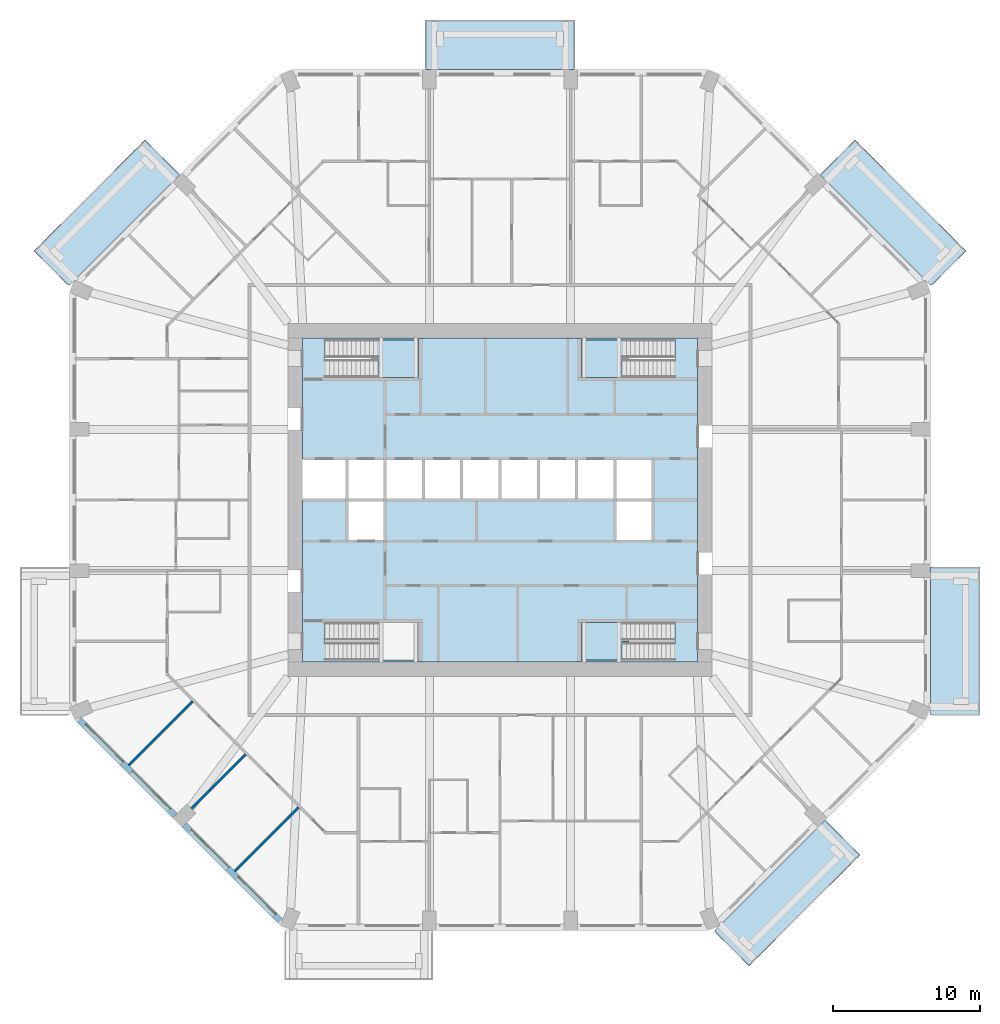
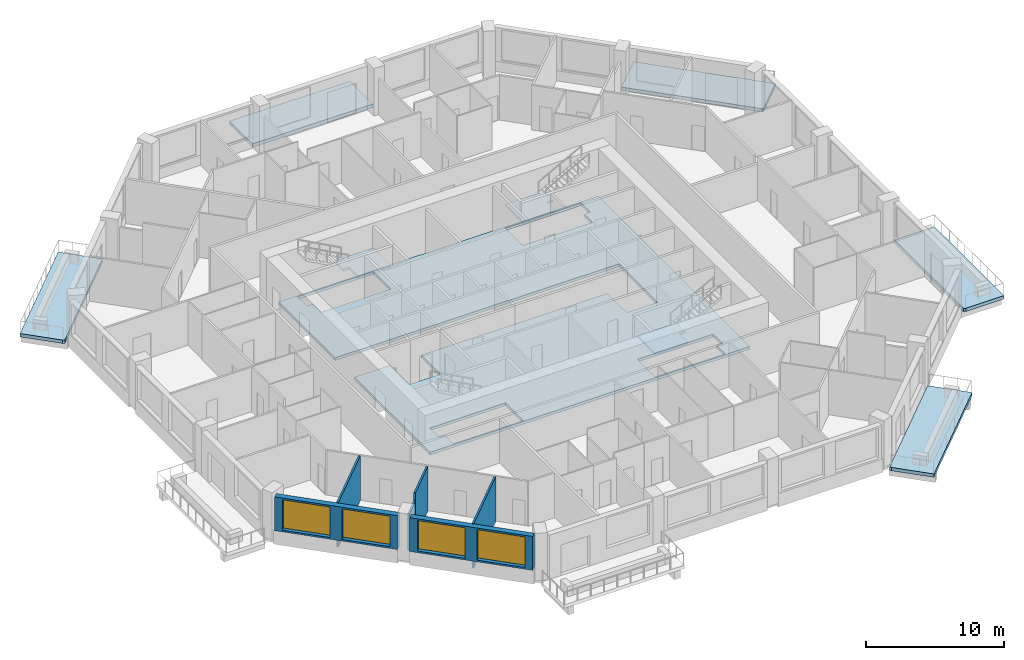
# One storey, part 2 of 13: 9 slabs, 6 walls, 4 windows, 4 openings, 3 elements without a shape of their own.
"""IFC4 building model written with IfcOpenShell, lengths in metres."""

from ifc_helpers import new_model, si_unit, direction, frame, frame_2d, origin, place, context, subcontext, project, spatial, polyline, rectangle, outline, extrude, material, layer, layer_set, type_object, element, fill, aggregate, save


model = new_model("IFC4")

# Units and contexts
model_context = context("Model", 3, precision=1e-05, world=origin(), true_north=direction((0.0, 1.0)))
body_context = subcontext(model_context, "Body", "Model", "MODEL_VIEW")
ifc_project = project(units=[si_unit("LENGTHUNIT", "METRE"), si_unit("AREAUNIT", "SQUARE_METRE"), si_unit("VOLUMEUNIT", "CUBIC_METRE"), si_unit("PLANEANGLEUNIT", "RADIAN"), si_unit("MASSUNIT", "GRAM", prefix="KILO")], contexts=[model_context])

# Site, building, storey
site_placement = place(None, origin())
site = spatial("IfcSite", under=ifc_project, at=site_placement, CompositionType="ELEMENT")
building_placement = place(site_placement, origin())
building = spatial("IfcBuilding", under=site, at=building_placement, Name="Msitu Wima Residences", CompositionType="ELEMENT")
storey_placement = place(building_placement, frame((0.0, 0.0, 84.300048828125)))
storey = spatial("IfcBuildingStorey", under=building, at=storey_placement, Name="L19", CompositionType="ELEMENT", Elevation=84.300048828125)

# Slabs
ifc_material_1 = material(Name="Concrete C40/50", Category="concrete")
ifc_layer_1 = layer(ifc_material_1, 0.300048828125)
ifc_layer_set_1 = layer_set([ifc_layer_1], Name="Concrete C40/50")
slab_type_1 = type_object("IfcSlabType", Name="Balcony slab BS300", PredefinedType="FLOOR", material=ifc_layer_set_1)
slab_1_placement = place(storey_placement, frame((0.0, 0.0, -0.300048828125)))
element("IfcSlab", 1, at=slab_1_placement, inside=storey, type_object=slab_type_1, Name="Balcony E0 L19", PredefinedType="FLOOR", context=body_context, shape_type="SweptSolid", body=[
    extrude(outline(polyline([(29.25, -14.099365234375), (29.25, -14.099365234375), (29.25, -5.25), (29.25, -4.550048828125), (32.60009765625, -4.550048828125), (32.60009765625, -14.64990234375), (29.403564453125, -14.64990234375), (29.25, -14.58642578125), (29.25, -14.099365234375), (29.25, -14.099365234375)])), origin(), (0.0, 0.0, 1.0), 0.300048828125),
])
slab_2_placement = place(storey_placement, frame((0.0, 0.0, -0.300048828125)))
element("IfcSlab", 2, at=slab_2_placement, inside=storey, type_object=slab_type_1, Name="Balcony NE0 L19", PredefinedType="FLOOR", context=body_context, shape_type="SweptSolid", body=[
    extrude(outline(polyline([(24.1103515625, 24.4638671875), (31.663818359375, 16.91015625), (29.403564453125, 14.64990234375), (29.25, 14.58642578125), (21.741455078125, 22.094970703125), (24.1103515625, 24.4638671875)])), origin(), (0.0, 0.0, 1.0), 0.300048828125),
])
slab_3_placement = place(storey_placement, frame((0.0, 0.0, -0.300048828125)))
element("IfcSlab", 3, at=slab_3_placement, inside=storey, type_object=slab_type_1, Name="Balcony N1 L19", PredefinedType="FLOOR", context=body_context, shape_type="SweptSolid", body=[
    extrude(outline(polyline([(4.35009765625, 29.25), (-4.35009765625, 29.25), (-5.050048828125, 29.25), (-5.050048828125, 32.60009765625), (5.050048828125, 32.60009765625), (5.050048828125, 29.25), (4.35009765625, 29.25)])), origin(), (0.0, 0.0, 1.0), 0.300048828125),
])
slab_4_placement = place(storey_placement, frame((0.0, 0.0, -0.300048828125)))
element("IfcSlab", 4, at=slab_4_placement, inside=storey, type_object=slab_type_1, Name="Balcony NW1 L19", PredefinedType="FLOOR", context=body_context, shape_type="SweptSolid", body=[
    extrude(outline(polyline([(-31.663818359375, 16.91015625), (-24.1103515625, 24.4638671875), (-21.741455078125, 22.094970703125), (-29.25, 14.58642578125), (-29.403564453125, 14.64990234375), (-31.663818359375, 16.91015625)])), origin(), (0.0, 0.0, 1.0), 0.300048828125),
])
slab_5_placement = place(storey_placement, frame((0.0, 0.0, -0.300048828125)))
element("IfcSlab", 5, at=slab_5_placement, inside=storey, type_object=slab_type_1, Name="Balcony SE0 L19", PredefinedType="FLOOR", context=body_context, shape_type="SweptSolid", body=[
    extrude(outline(polyline([(24.4638671875, -24.1103515625), (16.91015625, -31.663818359375), (14.64990234375, -29.403564453125), (14.58642578125, -29.25), (22.094970703125, -21.741455078125), (24.4638671875, -24.1103515625)])), origin(), (0.0, 0.0, 1.0), 0.300048828125),
])
ifc_layer_2 = layer(ifc_material_1, 0.25)
ifc_layer_set_2 = layer_set([ifc_layer_2], Name="Concrete C40/50")
slab_type_2 = type_object("IfcSlabType", Name="Core floor CF250", PredefinedType="FLOOR", material=ifc_layer_set_2)
slab_6_placement = place(storey_placement, frame((0.0, 0.0, -0.25)))
element("IfcSlab", 6, at=slab_6_placement, inside=storey, type_object=slab_type_2, Name="Core floor", PredefinedType="FLOOR", context=body_context, shape_type="SweptSolid", body=[
    extrude(outline(polyline([(-13.39990234375, 11.0), (-13.39990234375, 2.800048828125), (-10.39990234375, 2.800048828125), (-7.800048828125, 2.800048828125), (-5.199951171875, 2.800048828125), (-2.60009765625, 2.800048828125), (0.0, 2.800048828125), (2.60009765625, 2.800048828125), (5.199951171875, 2.800048828125), (7.800048828125, 2.800048828125), (10.39990234375, 2.800048828125), (10.39990234375, 0.0), (10.39990234375, -2.800048828125), (7.800048828125, -2.800048828125), (7.800048828125, 0.0), (5.199951171875, 0.0), (2.60009765625, 0.0), (0.0, 0.0), (-2.60009765625, 0.0), (-5.199951171875, 0.0), (-7.800048828125, 0.0), (-7.800048828125, -2.800048828125), (-10.39990234375, -2.800048828125), (-10.39990234375, 0.0), (-13.39990234375, 0.0), (-13.39990234375, -11.0), (13.39990234375, -11.0), (13.39990234375, 11.0), (-13.39990234375, 11.0)]), holes=[polyline([(-11.375, -10.875), (-11.375, -9.675048828125), (-11.87451171875, -9.675048828125), (-11.87451171875, -8.324951171875), (-5.52490234375, -8.324951171875), (-5.52490234375, -10.875), (-11.375, -10.875)]), polyline([(-11.375, 9.52490234375), (-11.87451171875, 9.52490234375), (-11.87451171875, 10.875), (-5.52490234375, 10.875), (-5.52490234375, 8.324951171875), (-11.375, 8.324951171875), (-11.375, 9.52490234375)]), polyline([(11.375, -9.675048828125), (11.375, -10.875), (5.52490234375, -10.875), (5.52490234375, -8.324951171875), (11.87451171875, -8.324951171875), (11.87451171875, -9.675048828125), (11.375, -9.675048828125)]), polyline([(11.375, 9.52490234375), (11.375, 8.324951171875), (5.52490234375, 8.324951171875), (5.52490234375, 10.875), (11.87451171875, 10.875), (11.87451171875, 9.52490234375), (11.375, 9.52490234375)])]), origin(), (0.0, 0.0, 1.0), 0.25),
])

# Stair, slab
stair_type = type_object("IfcStairType", Name="Exit stair ES1615-120", PredefinedType="HALF_TURN_STAIR", material=ifc_material_1)
stair_1_placement = place(storey_placement, origin())
stair_1 = element("IfcStair", 7, at=stair_1_placement, inside=storey, type_object=stair_type, Name="Exit stair 1", PredefinedType="HALF_TURN_STAIR")
ifc_layer_3 = layer(ifc_material_1, 0.199951171875)
ifc_layer_set_3 = layer_set([ifc_layer_3], Name="Concrete C40/50")
slab_type_3 = type_object("IfcSlabType", Name="Stair landing SL200", PredefinedType="LANDING", material=ifc_layer_set_3)
slab_7_placement = place(storey_placement, frame((0.0, 0.0, 1.89990234375)))
slab_7 = element("IfcSlab", 8, at=slab_7_placement, type_object=slab_type_3, Name="S1 landing 1", PredefinedType="LANDING", context=body_context, shape_type="SweptSolid", body=[
    extrude(outline(polyline([(-5.52490234375, 8.324951171875), (-8.275390625, 8.324951171875), (-8.275390625, 9.60009765625), (-8.77490234375, 9.60009765625), (-8.77490234375, 10.875), (-5.52490234375, 10.875), (-5.52490234375, 8.324951171875)])), origin(), (0.0, 0.0, 1.0), 0.199951171875),
])
aggregate(stair_1, [slab_7])

stair_2_placement = place(storey_placement, origin())
stair_2 = element("IfcStair", 9, at=stair_2_placement, inside=storey, type_object=stair_type, Name="Exit stair 3", PredefinedType="HALF_TURN_STAIR")
slab_8_placement = place(storey_placement, frame((0.0, 0.0, 1.89990234375)))
slab_8 = element("IfcSlab", 10, at=slab_8_placement, type_object=slab_type_3, Name="S3 landing 1", PredefinedType="LANDING", context=body_context, shape_type="SweptSolid", body=[
    extrude(outline(polyline([(5.52490234375, 8.324951171875), (8.275390625, 8.324951171875), (8.275390625, 9.60009765625), (8.77490234375, 9.60009765625), (8.77490234375, 10.875), (5.52490234375, 10.875), (5.52490234375, 8.324951171875)])), origin(), (0.0, 0.0, 1.0), 0.199951171875),
])
aggregate(stair_2, [slab_8])

stair_3_placement = place(storey_placement, origin())
stair_3 = element("IfcStair", 11, at=stair_3_placement, inside=storey, type_object=stair_type, Name="Exit stair 4", PredefinedType="HALF_TURN_STAIR")
slab_9_placement = place(storey_placement, frame((0.0, 0.0, 1.89990234375)))
slab_9 = element("IfcSlab", 12, at=slab_9_placement, type_object=slab_type_3, Name="S4 landing 1", PredefinedType="LANDING", context=body_context, shape_type="SweptSolid", body=[
    extrude(outline(polyline([(5.52490234375, -10.875), (8.275390625, -10.875), (8.275390625, -9.60009765625), (8.77490234375, -9.60009765625), (8.77490234375, -8.324951171875), (5.52490234375, -8.324951171875), (5.52490234375, -10.875)])), origin(), (0.0, 0.0, 1.0), 0.199951171875),
])
aggregate(stair_3, [slab_9])

# Wall, openings, windows
ifc_material_2 = material(Name="Brick (red buff mix)", Category="masonry")
ifc_layer_4 = layer(ifc_material_2, 0.449951171875)
ifc_layer_set_4 = layer_set([ifc_layer_4], Name="Brick (red buff mix)")
wall_type_1 = type_object("IfcWallType", Name="Brick infill wall BW450", PredefinedType="SOLIDWALL", material=ifc_layer_set_4)
wall_1_placement = place(storey_placement, frame((-28.61474609375, -14.903564453125, 0.89990234375), z_axis=(0.0, 0.0, 1.0), x_axis=(0.707106781187, -0.707106781187, 0.0)))
wall_1 = element("IfcWall", 13, at=wall_1_placement, inside=storey, type_object=wall_type_1, Name="Brick infill wall L19 SW0", PredefinedType="SOLIDWALL", context=body_context, shape_type="SweptSolid", body=[
    extrude(rectangle(XDim=9.2451171875, YDim=0.449951171875, at=frame_2d((4.62255859375, 0.0))), origin(), (0.0, 0.0, 1.0), 3.0),
])
opening_1_placement = place(wall_1_placement, frame((0.572509765625, 0.0, 0.14990234375)))
opening_1 = element("IfcOpeningElement", 14, at=opening_1_placement, cuts=wall_1, Name="Opening W18-20.025", PredefinedType="OPENING", context=body_context, shape_type="SweptSolid", body=[
    extrude(rectangle(XDim=3.60009765625, YDim=2.699951171875, at=frame_2d((1.800048828125, 1.35009765625))), frame((0.0, 0.23486328125, 0.0), z_axis=(0.0, -1.0, 0.0), x_axis=(1.0, 0.0, 0.0)), (0.0, 0.0, 1.0), 0.469970703125),
])
opening_2_placement = place(wall_1_placement, frame((5.072509765625, 0.0, 0.14990234375)))
opening_2 = element("IfcOpeningElement", 15, at=opening_2_placement, cuts=wall_1, Name="Opening W18-20.026", PredefinedType="OPENING", context=body_context, shape_type="SweptSolid", body=[
    extrude(rectangle(XDim=3.60009765625, YDim=2.699951171875, at=frame_2d((1.800048828125, 1.35009765625))), frame((0.0, 0.23486328125, 0.0), z_axis=(0.0, -1.0, 0.0), x_axis=(1.0, 0.0, 0.0)), (0.0, 0.0, 1.0), 0.469970703125),
])
ifc_material_3 = material(Name="Anodised aluminium, bronze finish, clear low-emissivity double glazing", Category="aluminium")
window_type = type_object("IfcWindowType", Name="Window W3600x2700", PartitioningType="DOUBLE_PANEL_VERTICAL", PredefinedType="WINDOW", material=ifc_material_3)
window_1_placement = place(opening_1_placement, origin())
window_1 = element("IfcWindow", 16, at=window_1_placement, inside=storey, type_object=window_type, Name="Window L19 SW0.1", OverallHeight=2.699951171875, OverallWidth=3.60009765625, PartitioningType="SINGLE_PANEL", PredefinedType="WINDOW", context=body_context, shape_type="SweptSolid", body=[
    extrude(rectangle(XDim=3.60009765625, YDim=2.699951171875, at=frame_2d((1.800048828125, 1.35009765625))), frame((0.0, 0.135009765625, 0.0), z_axis=(0.0, -1.0, 0.0), x_axis=(1.0, 0.0, 0.0)), (0.0, 0.0, 1.0), 0.06005859375),
])
fill(opening_1, window_1)
window_2_placement = place(opening_2_placement, origin())
window_2 = element("IfcWindow", 17, at=window_2_placement, inside=storey, type_object=window_type, Name="Window L19 SW0.2", OverallHeight=2.699951171875, OverallWidth=3.60009765625, PartitioningType="SINGLE_PANEL", PredefinedType="WINDOW", context=body_context, shape_type="SweptSolid", body=[
    extrude(rectangle(XDim=3.60009765625, YDim=2.699951171875, at=frame_2d((1.800048828125, 1.35009765625))), frame((0.0, 0.135009765625, 0.0), z_axis=(0.0, -1.0, 0.0), x_axis=(1.0, 0.0, 0.0)), (0.0, 0.0, 1.0), 0.06005859375),
])
fill(opening_2, window_2)

wall_2_placement = place(storey_placement, frame((-21.44091796875, -22.077392578125, 0.89990234375), z_axis=(0.0, 0.0, 1.0), x_axis=(0.707106781187, -0.707106781187, 0.0)))
wall_2 = element("IfcWall", 18, at=wall_2_placement, inside=storey, type_object=wall_type_1, Name="Brick infill wall L19 SW1", PredefinedType="SOLIDWALL", context=body_context, shape_type="SweptSolid", body=[
    extrude(rectangle(XDim=9.2451171875, YDim=0.449951171875, at=frame_2d((4.62255859375, 0.0))), origin(), (0.0, 0.0, 1.0), 3.0),
])
opening_3_placement = place(wall_2_placement, frame((0.572509765625, 0.0, 0.14990234375)))
opening_3 = element("IfcOpeningElement", 19, at=opening_3_placement, cuts=wall_2, Name="Opening W18-20.027", PredefinedType="OPENING", context=body_context, shape_type="SweptSolid", body=[
    extrude(rectangle(XDim=3.60009765625, YDim=2.699951171875, at=frame_2d((1.800048828125, 1.35009765625))), frame((0.0, 0.23486328125, 0.0), z_axis=(0.0, -1.0, 0.0), x_axis=(1.0, 0.0, 0.0)), (0.0, 0.0, 1.0), 0.469970703125),
])
opening_4_placement = place(wall_2_placement, frame((5.072509765625, 0.0, 0.14990234375)))
opening_4 = element("IfcOpeningElement", 20, at=opening_4_placement, cuts=wall_2, Name="Opening W18-20.028", PredefinedType="OPENING", context=body_context, shape_type="SweptSolid", body=[
    extrude(rectangle(XDim=3.60009765625, YDim=2.699951171875, at=frame_2d((1.800048828125, 1.35009765625))), frame((0.0, 0.23486328125, 0.0), z_axis=(0.0, -1.0, 0.0), x_axis=(1.0, 0.0, 0.0)), (0.0, 0.0, 1.0), 0.469970703125),
])
window_3_placement = place(opening_3_placement, origin())
window_3 = element("IfcWindow", 21, at=window_3_placement, inside=storey, type_object=window_type, Name="Window L19 SW1.1", OverallHeight=2.699951171875, OverallWidth=3.60009765625, PartitioningType="SINGLE_PANEL", PredefinedType="WINDOW", context=body_context, shape_type="SweptSolid", body=[
    extrude(rectangle(XDim=3.60009765625, YDim=2.699951171875, at=frame_2d((1.800048828125, 1.35009765625))), frame((0.0, 0.135009765625, 0.0), z_axis=(0.0, -1.0, 0.0), x_axis=(1.0, 0.0, 0.0)), (0.0, 0.0, 1.0), 0.06005859375),
])
fill(opening_3, window_3)
window_4_placement = place(opening_4_placement, origin())
window_4 = element("IfcWindow", 22, at=window_4_placement, inside=storey, type_object=window_type, Name="Window L19 SW1.2", OverallHeight=2.699951171875, OverallWidth=3.60009765625, PartitioningType="SINGLE_PANEL", PredefinedType="WINDOW", context=body_context, shape_type="SweptSolid", body=[
    extrude(rectangle(XDim=3.60009765625, YDim=2.699951171875, at=frame_2d((1.800048828125, 1.35009765625))), frame((0.0, 0.135009765625, 0.0), z_axis=(0.0, -1.0, 0.0), x_axis=(1.0, 0.0, 0.0)), (0.0, 0.0, 1.0), 0.06005859375),
])
fill(opening_4, window_4)

# Walls
ifc_material_4 = material(Name="Plaster")
ifc_layer_5 = layer(ifc_material_4, 0.011962890625, Name="Plaster")
ifc_material_5 = material(Name="Concrete blockwork", Category="masonry")
ifc_layer_6 = layer(ifc_material_5, 0.1259765625, Name="Concrete blockwork")
ifc_layer_7 = layer(ifc_material_4, 0.011962890625, Name="Plaster")
ifc_layer_set_5 = layer_set([ifc_layer_5, ifc_layer_6, ifc_layer_7], Name="Concrete blockwork")
wall_type_2 = type_object("IfcWallType", Name="Partition PW150", PredefinedType="PARTITIONING", material=ifc_layer_set_5)
wall_3_placement = place(storey_placement, frame((-25.2177734375, -18.017578125, 0.0), z_axis=(0.0, 0.0, 1.0), x_axis=(0.707126629519, 0.707086932297, 0.0)))
element("IfcWall", 23, at=wall_3_placement, inside=storey, type_object=wall_type_2, Name="Partition", PredefinedType="PARTITIONING", context=body_context, shape_type="SweptSolid", body=[
    extrude(rectangle(XDim=6.150146484375, YDim=0.14990234375, at=frame_2d((3.0751953125, 0.0))), origin(), (0.0, 0.0, 1.0), 3.949951171875),
])
wall_4_placement = place(storey_placement, frame((-20.963623046875, -20.963623046875, 0.0), z_axis=(0.0, 0.0, 1.0), x_axis=(0.707106781187, 0.707106781187, 0.0)))
element("IfcWall", 24, at=wall_4_placement, inside=storey, type_object=wall_type_2, Name="Partition", PredefinedType="PARTITIONING", context=body_context, shape_type="SweptSolid", body=[
    extrude(rectangle(XDim=1.74853515625, YDim=0.14990234375, at=frame_2d((0.874267578125, 0.0))), origin(), (0.0, 0.0, 1.0), 3.25),
])
wall_5_placement = place(storey_placement, frame((-19.727294921875, -19.727294921875, 0.0), z_axis=(0.0, 0.0, 1.0), x_axis=(0.707106781187, 0.707106781187, 0.0)))
element("IfcWall", 25, at=wall_5_placement, inside=storey, type_object=wall_type_2, Name="Partition", PredefinedType="PARTITIONING", context=body_context, shape_type="SweptSolid", body=[
    extrude(rectangle(XDim=3.4765625, YDim=0.14990234375, at=frame_2d((1.73828125, 0.0))), origin(), (0.0, 0.0, 1.0), 3.949951171875),
])
wall_6_placement = place(storey_placement, frame((-18.017578125, -25.2177734375, 0.0), z_axis=(0.0, 0.0, 1.0), x_axis=(0.707086932297, 0.707126629519, 0.0)))
element("IfcWall", 26, at=wall_6_placement, inside=storey, type_object=wall_type_2, Name="Partition", PredefinedType="PARTITIONING", context=body_context, shape_type="SweptSolid", body=[
    extrude(rectangle(XDim=6.150146484375, YDim=0.14990234375, at=frame_2d((3.0751953125, 0.0))), origin(), (0.0, 0.0, 1.0), 3.949951171875),
])

save(model, "model.ifc")
